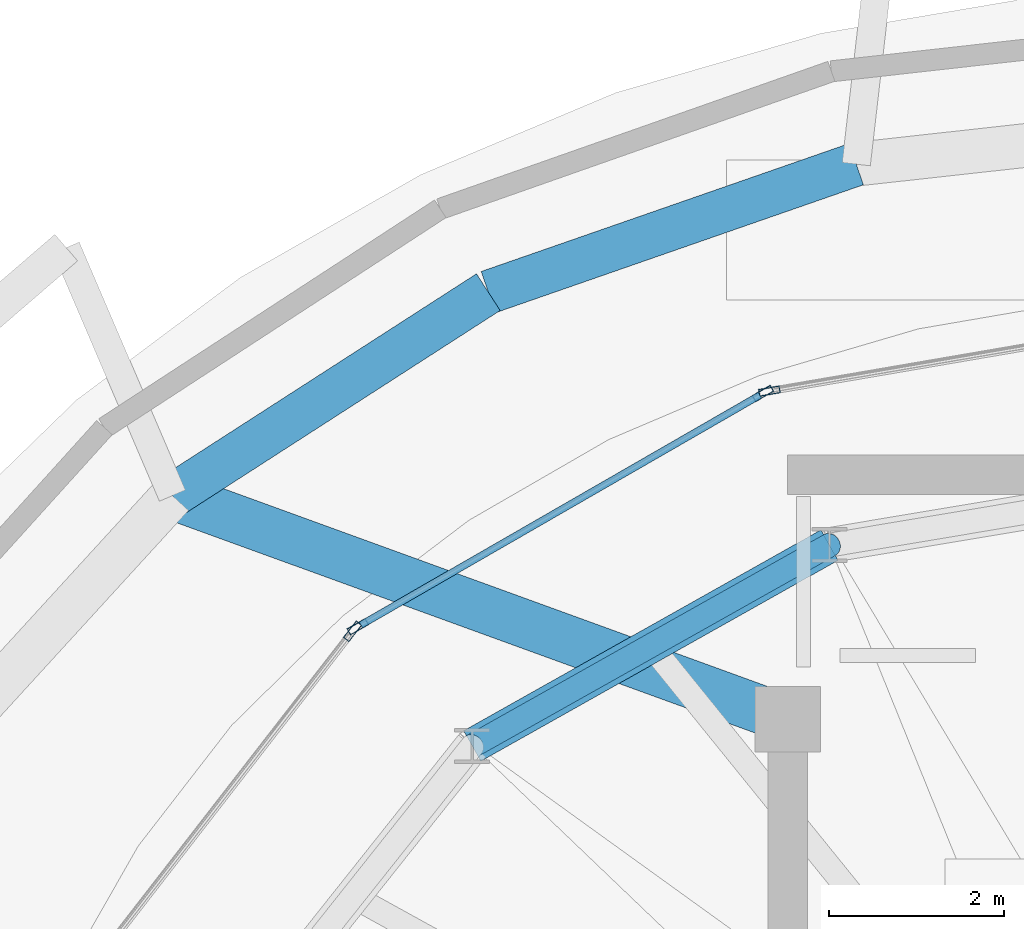
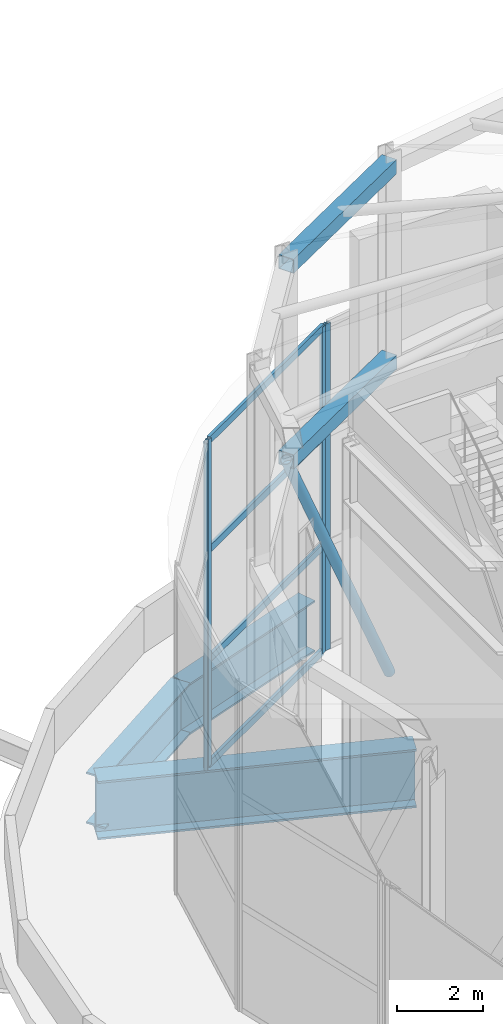
# One storey, part 12 of 22: 9 members, 5 beams, 3 elements without a shape of their own.
"""IFC4 building model written with IfcOpenShell, lengths in metres."""

from ifc_helpers import new_model, si_unit, direction, frame, origin, origin_2d, place, context, subcontext, project, spatial, hollow_rectangle, hollow_circle, i_section, extrude, material, layer, layer_set, material_profile, profile_set, type_object, element, aggregate, save


model = new_model("IFC4")

# Units and contexts
model_context = context("Model", 3, precision=1e-05, world=origin(), true_north=direction((0.0, 1.0)))
body_context = subcontext(model_context, "Body", "Model", "MODEL_VIEW")
ifc_project = project(units=[si_unit("LENGTHUNIT", "METRE"), si_unit("AREAUNIT", "SQUARE_METRE"), si_unit("VOLUMEUNIT", "CUBIC_METRE"), si_unit("PLANEANGLEUNIT", "RADIAN"), si_unit("MASSUNIT", "GRAM", prefix="KILO")], contexts=[model_context])

# Site, building, storey
site_placement = place(None, origin())
site = spatial("IfcSite", under=ifc_project, at=site_placement, CompositionType="ELEMENT")
building_placement = place(site_placement, origin())
building = spatial("IfcBuilding", under=site, at=building_placement, Name="Nuhasar Tower", CompositionType="ELEMENT")
storey_placement = place(building_placement, frame((0.0, 0.0, 313.39990234375)))
storey = spatial("IfcBuildingStorey", under=building, at=storey_placement, Name="Roof Drum", CompositionType="ELEMENT", Elevation=313.39990234375)

# Beams
ifc_material_1 = material(Name="Steel S355", Category="steel")
ifc_material_profile_1 = material_profile(ifc_material_1, hollow_rectangle(XDim=0.39990234375, YDim=0.39990234375, WallThickness=0.01611328125, at=origin_2d()), Name="HSS400X400X16")
ifc_profile_set_1 = profile_set([ifc_material_profile_1], Name="Steel S355")
beam_type_1 = type_object("IfcBeamType", Name="BM-CRN-HSS400", PredefinedType="SPANDREL", material=ifc_profile_set_1)
for number, where, z_axis, x_axis, name in (
    (1, (34.177978515625, 36.593017578125, 9.02001953125), (-0.87169785944, -0.490043714221, 0.0), (0.490043714221, -0.87169785944, 0.0), "Crown Drum Eave Ring Beam 06"),
    (2, (34.177978515625, 36.593017578125, 14.5400390625), (-0.87169785944, -0.490043714221, 0.0), (0.490043714221, -0.87169785944, 0.0), "Crown Drum Top Ring Beam 06"),
):
    element("IfcBeam", number, at=place(storey_placement, frame(where, z_axis=z_axis, x_axis=x_axis)), inside=storey, type_object=beam_type_1, Name=name, PredefinedType="SPANDREL", context=body_context, shape_type="SweptSolid", body=[
        extrude(hollow_rectangle(XDim=0.39990234375, YDim=0.39990234375, WallThickness=0.01611328125, at=origin_2d()), origin(), (0.0, 0.0, 1.0), 4.689453125),
    ])
ifc_material_2 = material(Name="Steel S460", Category="steel")
ifc_material_profile_2 = material_profile(ifc_material_2, i_section(OverallWidth=0.5, OverallDepth=1.449951171875, WebThickness=0.028076171875, FlangeThickness=0.050048828125, at=origin_2d()), Name="PG1450X500")
ifc_profile_set_2 = profile_set([ifc_material_profile_2], Name="Steel S460")
beam_type_2 = type_object("IfcBeamType", Name="BM-XFER-PG1450", PredefinedType="USERDEFINED", material=ifc_profile_set_2)
beam_1_placement = place(storey_placement, frame((34.48388671875, 40.950927734375, -1.14501953125), z_axis=(-0.94450566555, -0.328495125907, 0.0), x_axis=(0.328495125907, -0.94450566555, 0.0)))
element("IfcBeam", 3, at=beam_1_placement, inside=storey, type_object=beam_type_2, Name="Roof Drum Outer Setback Spandrel 08", ObjectType="GIRDER", PredefinedType="USERDEFINED", context=body_context, shape_type="SweptSolid", body=[
    extrude(i_section(OverallWidth=0.5, OverallDepth=1.449951171875, WebThickness=0.028076171875, FlangeThickness=0.050048828125, at=origin_2d()), origin(), (0.0, 0.0, 1.0), 4.456298828125),
])
beam_2_placement = place(storey_placement, frame((30.27490234375, 39.487060546875, -1.14501953125), z_axis=(-0.84066698683, -0.541552414133, 0.0), x_axis=(0.541552414133, -0.84066698683, 0.0)))
element("IfcBeam", 4, at=beam_2_placement, inside=storey, type_object=beam_type_2, Name="Roof Drum Outer Setback Spandrel 09", ObjectType="GIRDER", PredefinedType="USERDEFINED", context=body_context, shape_type="SweptSolid", body=[
    extrude(i_section(OverallWidth=0.5, OverallDepth=1.449951171875, WebThickness=0.028076171875, FlangeThickness=0.050048828125, at=origin_2d()), origin(), (0.0, 0.0, 1.0), 4.299072265625),
])
ifc_material_profile_3 = material_profile(ifc_material_2, i_section(OverallWidth=0.550048828125, OverallDepth=1.64990234375, WebThickness=0.031982421875, FlangeThickness=0.054931640625, at=origin_2d()), Name="PG1650X550")
ifc_profile_set_3 = profile_set([ifc_material_profile_3], Name="Steel S460")
beam_type_3 = type_object("IfcBeamType", Name="BM-XFER-PG1650", PredefinedType="USERDEFINED", material=ifc_profile_set_3)
beam_3_placement = place(storey_placement, frame((33.699951171875, 34.60009765625, -1.244873046875), z_axis=(-0.939828632474, 0.341646222841, 0.0), x_axis=(-0.341646222841, -0.939828632474, 0.0)))
element("IfcBeam", 5, at=beam_3_placement, inside=storey, type_object=beam_type_3, Name="Roof Drum Primary Radial Transfer Girder 07", ObjectType="GIRDER", PredefinedType="USERDEFINED", context=body_context, shape_type="SweptSolid", body=[
    extrude(i_section(OverallWidth=0.550048828125, OverallDepth=1.64990234375, WebThickness=0.031982421875, FlangeThickness=0.054931640625, at=origin_2d()), origin(), (0.0, 0.0, 1.0), 7.48974609375),
])

# Member
ifc_material_profile_4 = material_profile(ifc_material_1, hollow_circle(Radius=0.136474609375, WallThickness=0.0126953125, at=origin_2d()), Name="HSS273.1X12.7")
ifc_profile_set_4 = profile_set([ifc_material_profile_4], Name="Steel S355")
member_type_1 = type_object("IfcMemberType", Name="CRN-DIAG-273", PredefinedType="BRACE", material=ifc_profile_set_4)
member_1_placement = place(storey_placement, frame((34.177978515625, 36.593017578125, 0.2001953125), z_axis=(-0.409236617438, -0.230061172954, 0.882948043572), x_axis=(0.490043714221, -0.87169785944, 0.0)))
element("IfcMember", 6, at=member_1_placement, inside=storey, type_object=member_type_1, Name="Crown Drum Frame Brace 06", PredefinedType="BRACE", context=body_context, shape_type="SweptSolid", body=[
    extrude(hollow_circle(Radius=0.136474609375, WallThickness=0.0126953125, at=origin_2d()), origin(), (0.0, 0.0, 1.0), 9.989013671875),
])

# Curtain wall, member
ifc_material_3 = material(Name="Aluminium 6063-T6", Category="aluminium")
ifc_layer = layer(ifc_material_3, 0.219970703125)
ifc_layer_set = layer_set([ifc_layer], Name="Aluminium 6063-T6")
curtain_wall_type = type_object("IfcCurtainWallType", Name="CW-CROWN", PredefinedType="NOTDEFINED", material=ifc_layer_set)
curtain_wall_1_placement = place(storey_placement, origin())
curtain_wall_1 = element("IfcCurtainWall", 7, at=curtain_wall_1_placement, inside=storey, type_object=curtain_wall_type, Name="Crown Lantern Curtain Wall 05", PredefinedType="NOTDEFINED")
ifc_material_profile_5 = material_profile(ifc_material_3, hollow_rectangle(XDim=0.080078125, YDim=0.239990234375, WallThickness=0.0048828125, at=origin_2d()), Name="CWM-7")
ifc_profile_set_5 = profile_set([ifc_material_profile_5], Name="Aluminium 6063-T6")
member_type_2 = type_object("IfcMemberType", Name="CW-MUL-S7", PredefinedType="MULLION", material=ifc_profile_set_5)
member_2_placement = place(storey_placement, frame((33.490478515625, 38.354736328125, 0.0), z_axis=(0.0, 0.0, 1.0), x_axis=(0.169091991353, -0.985600273164, 0.0)))
member_2 = element("IfcMember", 8, at=member_2_placement, type_object=member_type_2, Name="CW-CR mullion 2", PredefinedType="MULLION", context=body_context, shape_type="SweptSolid", body=[
    extrude(hollow_rectangle(XDim=0.080078125, YDim=0.239990234375, WallThickness=0.0048828125, at=origin_2d()), origin(), (0.0, 0.0, 1.0), 9.22021484375),
])
aggregate(curtain_wall_1, [member_2])

# Curtain wall, members
curtain_wall_2_placement = place(storey_placement, origin())
curtain_wall_2 = element("IfcCurtainWall", 9, at=curtain_wall_2_placement, inside=storey, type_object=curtain_wall_type, Name="Crown Lantern Curtain Wall 06", PredefinedType="NOTDEFINED")
member_3_placement = place(storey_placement, frame((33.416259765625, 38.328125, 0.0), z_axis=(0.0, 0.0, 1.0), x_axis=(0.499052486842, -0.866571760085, 0.0)))
member_3 = element("IfcMember", 10, at=member_3_placement, type_object=member_type_2, Name="CW-CR mullion 1", PredefinedType="MULLION", context=body_context, shape_type="SweptSolid", body=[
    extrude(hollow_rectangle(XDim=0.080078125, YDim=0.239990234375, WallThickness=0.0048828125, at=origin_2d()), origin(), (0.0, 0.0, 1.0), 9.22021484375),
])
member_4_placement = place(storey_placement, frame((28.78173828125, 35.658935546875, 0.0), z_axis=(0.0, 0.0, 1.0), x_axis=(0.499052486842, -0.866571760085, 0.0)))
member_4 = element("IfcMember", 11, at=member_4_placement, type_object=member_type_2, Name="CW-CR mullion 2", PredefinedType="MULLION", context=body_context, shape_type="SweptSolid", body=[
    extrude(hollow_rectangle(XDim=0.080078125, YDim=0.239990234375, WallThickness=0.0048828125, at=origin_2d()), origin(), (0.0, 0.0, 1.0), 9.22021484375),
])

# Curtain wall, member
curtain_wall_3_placement = place(storey_placement, origin())
curtain_wall_3 = element("IfcCurtainWall", 12, at=curtain_wall_3_placement, inside=storey, type_object=curtain_wall_type, Name="Crown Lantern Curtain Wall 07", PredefinedType="NOTDEFINED")
member_5_placement = place(storey_placement, frame((28.722412109375, 35.607421875, 0.0), z_axis=(0.0, 0.0, 1.0), x_axis=(0.79037966023, -0.612617329738, 0.0)))
member_5 = element("IfcMember", 13, at=member_5_placement, type_object=member_type_2, Name="CW-CR mullion 1", PredefinedType="MULLION", context=body_context, shape_type="SweptSolid", body=[
    extrude(hollow_rectangle(XDim=0.080078125, YDim=0.239990234375, WallThickness=0.0048828125, at=origin_2d()), origin(), (0.0, 0.0, 1.0), 9.22021484375),
])
aggregate(curtain_wall_3, [member_5])

# Member
ifc_material_profile_6 = material_profile(ifc_material_3, hollow_rectangle(XDim=0.080078125, YDim=0.199951171875, WallThickness=0.00439453125, at=origin_2d()), Name="CWT-7")
ifc_profile_set_6 = profile_set([ifc_material_profile_6], Name="Aluminium 6063-T6")
member_type_3 = type_object("IfcMemberType", Name="CW-TRN-S7", PredefinedType="USERDEFINED", material=ifc_profile_set_6)
member_6_placement = place(storey_placement, frame((33.381591796875, 38.30810546875, 0.0400390625), z_axis=(-0.866564154904, -0.499065692505, 0.0), x_axis=(0.499065692505, -0.866564154904, 0.0)))
member_6 = element("IfcMember", 14, at=member_6_placement, type_object=member_type_3, Name="CW-CR transom 1.1", ObjectType="TRANSOM", PredefinedType="USERDEFINED", context=body_context, shape_type="SweptSolid", body=[
    extrude(hollow_rectangle(XDim=0.080078125, YDim=0.199951171875, WallThickness=0.00439453125, at=origin_2d()), origin(), (0.0, 0.0, 1.0), 5.26806640625),
])

member_7_placement = place(storey_placement, frame((33.381591796875, 38.30810546875, 3.0), z_axis=(-0.866564154904, -0.499065692505, 0.0), x_axis=(0.499065692505, -0.866564154904, 0.0)))
member_7 = element("IfcMember", 15, at=member_7_placement, type_object=member_type_3, Name="CW-CR transom 1.2", ObjectType="TRANSOM", PredefinedType="USERDEFINED", context=body_context, shape_type="SweptSolid", body=[
    extrude(hollow_rectangle(XDim=0.080078125, YDim=0.199951171875, WallThickness=0.00439453125, at=origin_2d()), origin(), (0.0, 0.0, 1.0), 5.26806640625),
])

member_8_placement = place(storey_placement, frame((33.381591796875, 38.30810546875, 6.10009765625), z_axis=(-0.866564154904, -0.499065692505, 0.0), x_axis=(0.499065692505, -0.866564154904, 0.0)))
member_8 = element("IfcMember", 16, at=member_8_placement, type_object=member_type_3, Name="CW-CR transom 1.3", ObjectType="TRANSOM", PredefinedType="USERDEFINED", context=body_context, shape_type="SweptSolid", body=[
    extrude(hollow_rectangle(XDim=0.080078125, YDim=0.199951171875, WallThickness=0.00439453125, at=origin_2d()), origin(), (0.0, 0.0, 1.0), 5.26806640625),
])

member_9_placement = place(storey_placement, frame((33.381591796875, 38.30810546875, 9.18017578125), z_axis=(-0.866564154904, -0.499065692505, 0.0), x_axis=(0.499065692505, -0.866564154904, 0.0)))
member_9 = element("IfcMember", 17, at=member_9_placement, type_object=member_type_3, Name="CW-CR transom 1.4", ObjectType="TRANSOM", PredefinedType="USERDEFINED", context=body_context, shape_type="SweptSolid", body=[
    extrude(hollow_rectangle(XDim=0.080078125, YDim=0.199951171875, WallThickness=0.00439453125, at=origin_2d()), origin(), (0.0, 0.0, 1.0), 5.26806640625),
])

aggregate(curtain_wall_2, [member_3, member_4, member_6, member_7, member_8, member_9])

save(model, "model.ifc")
